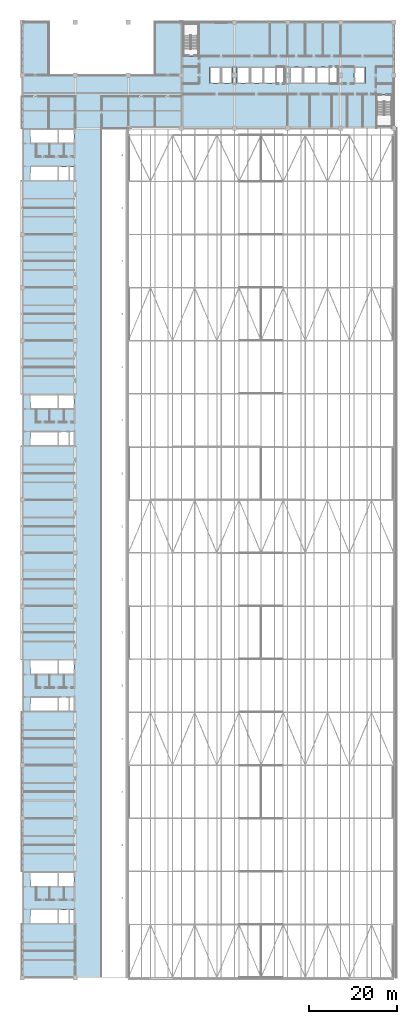
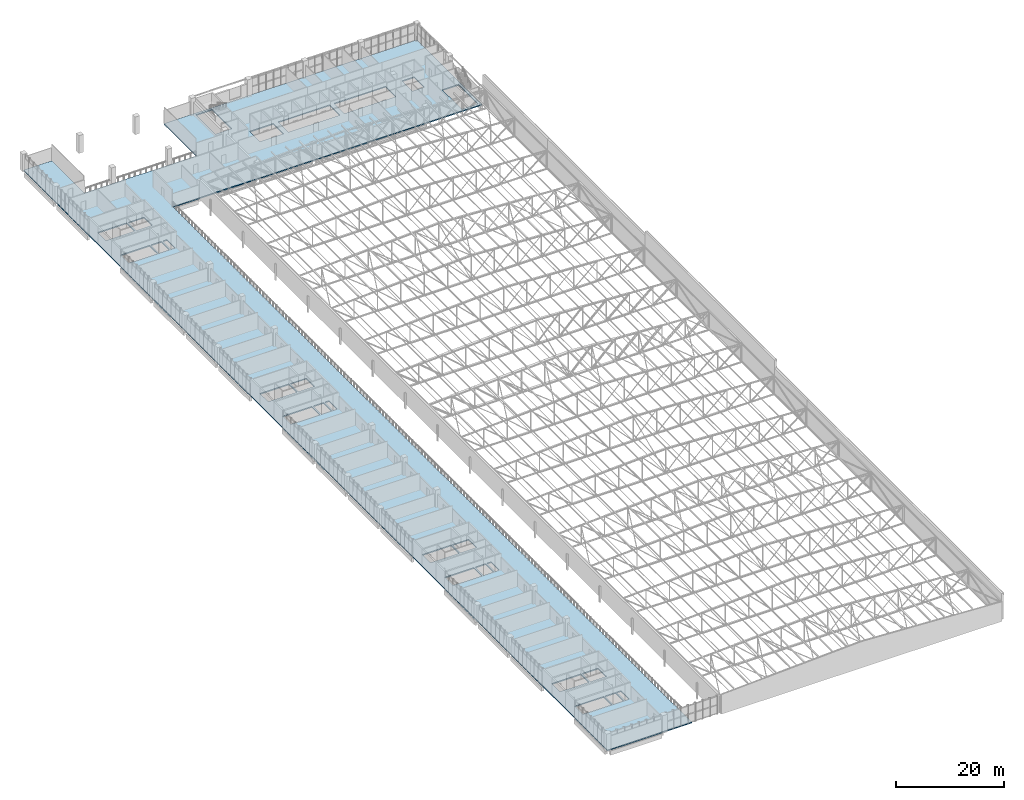
# One storey, part 137 of 156: 1 slab.
"""IFC4 building model written with IfcOpenShell, lengths in metres."""

from ifc_helpers import new_model, si_unit, direction, frame, origin, place, context, subcontext, project, spatial, polyline, outline, extrude, material, layer, layer_set, type_object, element, save


model = new_model("IFC4")

# Units and contexts
model_context = context("Model", 3, precision=1e-05, world=origin(), true_north=direction((0.0, 1.0)))
body_context = subcontext(model_context, "Body", "Model", "MODEL_VIEW")
ifc_project = project(units=[si_unit("LENGTHUNIT", "METRE"), si_unit("AREAUNIT", "SQUARE_METRE"), si_unit("VOLUMEUNIT", "CUBIC_METRE"), si_unit("PLANEANGLEUNIT", "RADIAN"), si_unit("MASSUNIT", "GRAM", prefix="KILO")], contexts=[model_context])

# Site, building, storey
site_placement = place(None, origin())
site = spatial("IfcSite", under=ifc_project, at=site_placement, CompositionType="ELEMENT")
building_placement = place(site_placement, origin())
building = spatial("IfcBuilding", under=site, at=building_placement, Name="Lilac Gate Convention Centre", CompositionType="ELEMENT")
storey_placement = place(building_placement, frame((0.0, 0.0, 17.0)))
storey = spatial("IfcBuildingStorey", under=building, at=storey_placement, Name="L03", CompositionType="ELEMENT", Elevation=17.0)

# Slab
ifc_material = material(Name="Concrete C40", Category="concrete")
ifc_layer = layer(ifc_material, 0.25)
ifc_layer_set = layer_set([ifc_layer], Name="Concrete C40")
slab_type = type_object("IfcSlabType", Name="Floor slab 250 C40", PredefinedType="FLOOR", material=ifc_layer_set)
slab_placement = place(storey_placement, frame((0.0, 0.0, -0.25)))
element("IfcSlab", 1, at=slab_placement, inside=storey, type_object=slab_type, Name="FS2 slab L03 1", PredefinedType="FLOOR", context=body_context, shape_type="SweptSolid", body=[
    extrude(outline(polyline([(30.0, 222.0), (24.0, 222.0), (24.0, 30.0), (18.0, 30.0), (6.0, 30.0), (6.0, 222.0), (6.0, 246.0), (12.0, 246.0), (12.0, 234.0), (36.0, 234.0), (36.0, 246.0), (42.0, 246.0), (90.0, 246.0), (90.0, 222.0), (42.0, 222.0), (30.0, 222.0)]), holes=[polyline([(17.699951171875, 42.300048828125), (17.699951171875, 45.300048828125), (16.800048828125, 45.300048828125), (16.800048828125, 42.300048828125), (17.699951171875, 42.300048828125)]), polyline([(16.5, 42.300048828125), (16.5, 45.300048828125), (14.300048828125, 45.300048828125), (14.300048828125, 42.300048828125), (16.5, 42.300048828125)]), polyline([(14.0, 42.300048828125), (14.0, 45.300048828125), (7.820068359375, 45.300048828125), (7.820068359375, 42.300048828125), (14.0, 42.300048828125)]), polyline([(17.699951171875, 50.699951171875), (17.699951171875, 53.699951171875), (14.300048828125, 53.699951171875), (14.300048828125, 50.699951171875), (17.699951171875, 50.699951171875)]), polyline([(14.0, 50.699951171875), (14.0, 53.699951171875), (7.820068359375, 53.699951171875), (7.820068359375, 50.699951171875), (14.0, 50.699951171875)]), polyline([(16.5, 90.300048828125), (16.5, 93.300048828125), (14.300048828125, 93.300048828125), (14.300048828125, 90.300048828125), (16.5, 90.300048828125)]), polyline([(14.0, 90.300048828125), (14.0, 93.300048828125), (7.820068359375, 93.300048828125), (7.820068359375, 90.300048828125), (14.0, 90.300048828125)]), polyline([(14.0, 98.699951171875), (14.0, 101.699951171875), (7.820068359375, 101.699951171875), (7.820068359375, 98.699951171875), (14.0, 98.699951171875)]), polyline([(17.699951171875, 98.699951171875), (17.699951171875, 101.699951171875), (14.300048828125, 101.699951171875), (14.300048828125, 98.699951171875), (17.699951171875, 98.699951171875)]), polyline([(14.0, 150.300048828125), (14.0, 153.300048828125), (7.820068359375, 153.300048828125), (7.820068359375, 150.300048828125), (14.0, 150.300048828125)]), polyline([(16.5, 150.300048828125), (16.5, 153.300048828125), (14.300048828125, 153.300048828125), (14.300048828125, 150.300048828125), (16.5, 150.300048828125)]), polyline([(14.0, 158.699951171875), (14.0, 161.699951171875), (7.820068359375, 161.699951171875), (7.820068359375, 158.699951171875), (14.0, 158.699951171875)]), polyline([(17.699951171875, 158.699951171875), (17.699951171875, 161.699951171875), (14.300048828125, 161.699951171875), (14.300048828125, 158.699951171875), (17.699951171875, 158.699951171875)]), polyline([(16.5, 210.300048828125), (16.5, 213.300048828125), (14.300048828125, 213.300048828125), (14.300048828125, 210.300048828125), (16.5, 210.300048828125)]), polyline([(14.0, 210.300048828125), (14.0, 213.300048828125), (7.820068359375, 213.300048828125), (7.820068359375, 210.300048828125), (14.0, 210.300048828125)]), polyline([(17.699951171875, 218.699951171875), (17.699951171875, 221.699951171875), (14.300048828125, 221.699951171875), (14.300048828125, 218.699951171875), (17.699951171875, 218.699951171875)]), polyline([(14.0, 218.699951171875), (14.0, 221.699951171875), (7.820068359375, 221.699951171875), (7.820068359375, 218.699951171875), (14.0, 218.699951171875)]), polyline([(17.699951171875, 90.300048828125), (17.699951171875, 93.300048828125), (16.800048828125, 93.300048828125), (16.800048828125, 90.300048828125), (17.699951171875, 90.300048828125)]), polyline([(17.699951171875, 150.300048828125), (17.699951171875, 153.300048828125), (16.800048828125, 153.300048828125), (16.800048828125, 150.300048828125), (17.699951171875, 150.300048828125)]), polyline([(17.699951171875, 210.300048828125), (17.699951171875, 213.300048828125), (16.800048828125, 213.300048828125), (16.800048828125, 210.300048828125), (17.699951171875, 210.300048828125)]), polyline([(89.5, 222.5), (89.5, 229.699951171875), (86.0, 229.699951171875), (86.0, 222.5), (89.5, 222.5)]), polyline([(53.5, 235.89990234375), (50.949951171875, 235.89990234375), (48.39990234375, 235.89990234375), (48.39990234375, 232.10009765625), (50.949951171875, 232.10009765625), (53.5, 232.10009765625), (53.5, 235.89990234375)]), polyline([(54.5, 232.10009765625), (57.5, 232.10009765625), (60.5, 232.10009765625), (63.5, 232.10009765625), (65.5, 232.10009765625), (65.5, 235.89990234375), (63.5, 235.89990234375), (60.5, 235.89990234375), (57.5, 235.89990234375), (54.5, 235.89990234375), (54.5, 232.10009765625)]), polyline([(72.5, 235.89990234375), (69.5, 235.89990234375), (66.5, 235.89990234375), (66.5, 232.10009765625), (69.5, 232.10009765625), (72.5, 232.10009765625), (75.5, 232.10009765625), (77.5, 232.10009765625), (77.5, 235.89990234375), (75.5, 235.89990234375), (72.5, 235.89990234375)]), polyline([(81.0, 232.10009765625), (83.60009765625, 232.10009765625), (83.60009765625, 235.89990234375), (81.0, 235.89990234375), (81.0, 232.10009765625)]), polyline([(42.5, 238.300048828125), (46.0, 238.300048828125), (46.0, 245.5), (42.5, 245.5), (42.5, 238.300048828125)])]), origin(), (0.0, 0.0, 1.0), 0.25),
])

save(model, "model.ifc")
